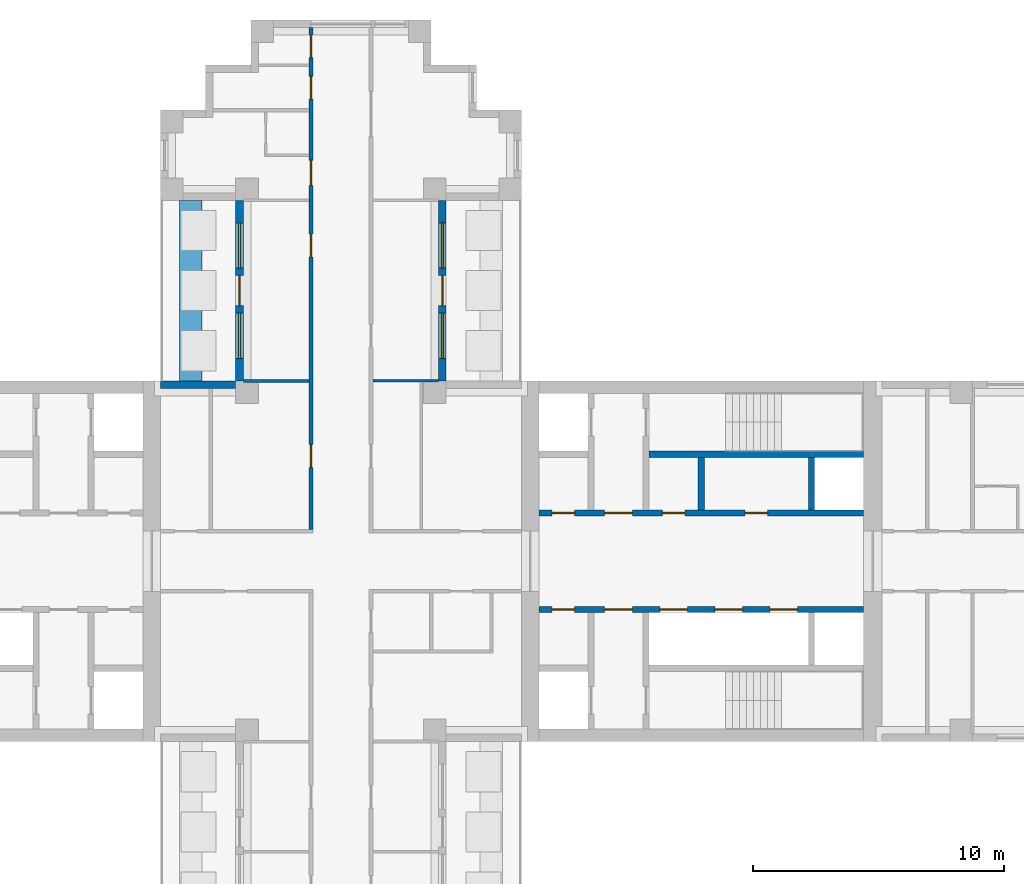
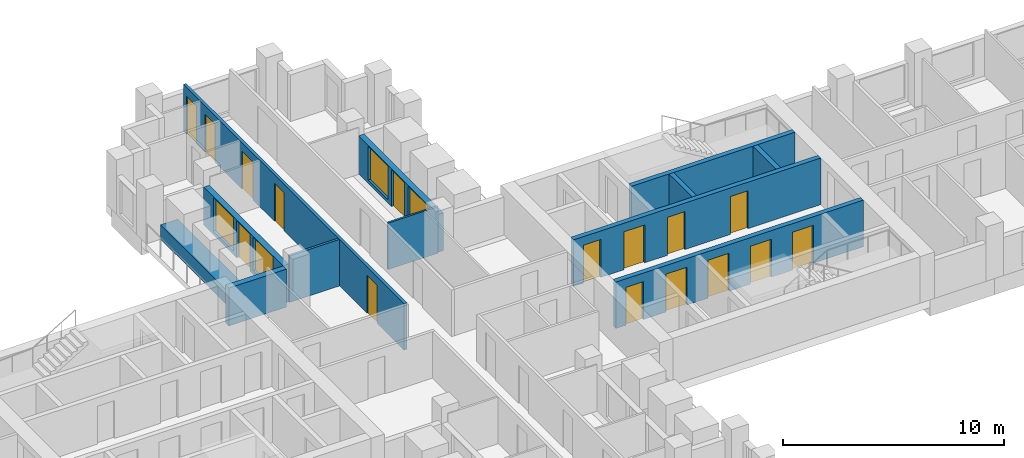
# One storey, part 8 of 13: 16 doors, 12 walls, 4 windows, 20 openings.
"""IFC4 building model written with IfcOpenShell, lengths in metres."""

import ifcopenshell
import ifcopenshell.guid

model = None  # the IFC model being written
_history = None  # IfcOwnerHistory: only IFC2X3 demands one
_inside = {}  # id of a spatial element -> (the spatial element, [elements in it])
_under = {}  # id of a project, library or spatial element -> (it, [spatial elements below it])
_declared = {}  # id of a project -> (the project, [libraries it declares])
_typed = {}  # id of a type object -> (the type object, [elements of that type])
_made_of = {}  # id of a material, layer set ... -> (it, [elements and type objects made of it])


def new_model(schema):
    """Start an empty IFC model of exactly this schema.

    Asked for "IFC4X3", IfcOpenShell would pick the latest addendum, in which some entities
    have other attributes; the version numbers below select the first issue.
    IFC2X3 requires an IfcOwnerHistory on every rooted entity: one is made here for all.
    """
    global model, _history
    if schema == "IFC4X3":
        model = ifcopenshell.file(schema_version=(4, 3, 0, 0))
    else:
        model = ifcopenshell.file(schema=schema)
    _inside.clear()
    _under.clear()
    _declared.clear()
    _typed.clear()
    _made_of.clear()
    _history = None
    if model.schema == "IFC2X3":
        org = make("IfcOrganization", Name="unknown")
        user = make(
            "IfcPersonAndOrganization",
            ThePerson=make("IfcPerson", FamilyName="unknown"),
            TheOrganization=org,
        )
        app = make(
            "IfcApplication",
            ApplicationDeveloper=org,
            Version="unknown",
            ApplicationFullName="unknown",
            ApplicationIdentifier="unknown",
        )
        _history = make(
            "IfcOwnerHistory",
            OwningUser=user,
            OwningApplication=app,
            ChangeAction="ADDED",
            CreationDate=0,
        )
    return model


def make(cls, **values):
    """One entity of the class cls with the attributes given. An attribute that is None is left unset."""
    return model.create_entity(
        cls, **{name: value for name, value in values.items() if value is not None}
    )


def rooted(cls, **values):
    """An entity with a GlobalId (a new one), such as an element, a storey or a relation."""
    return make(cls, GlobalId=ifcopenshell.guid.new(), OwnerHistory=_history, **values)


def si_unit(unit_type, name, prefix=None):
    """IfcSIUnit, for example si_unit("LENGTHUNIT", "METRE", prefix="MILLI")."""
    return make("IfcSIUnit", UnitType=unit_type, Prefix=prefix, Name=name)


def assignment(units):
    """IfcUnitAssignment: the units of a project."""
    return None if units is None else make("IfcUnitAssignment", Units=units)


def point(xyz):
    """IfcCartesianPoint."""
    return None if xyz is None else make("IfcCartesianPoint", Coordinates=xyz)


def direction(xyz):
    """IfcDirection."""
    return None if xyz is None else make("IfcDirection", DirectionRatios=xyz)


def frame(location, z_axis=None, x_axis=None):
    """IfcAxis2Placement3D, a coordinate frame: its origin and axes. An axis left out is left unset."""
    return make(
        "IfcAxis2Placement3D",
        Location=point(location),
        Axis=direction(z_axis),
        RefDirection=direction(x_axis),
    )


def frame_2d(location, x_axis=None):
    """IfcAxis2Placement2D, a coordinate frame in the plane: its origin and x axis."""
    return make(
        "IfcAxis2Placement2D", Location=point(location), RefDirection=direction(x_axis)
    )


def origin():
    """The frame at (0, 0, 0) with its axes left unset."""
    return frame((0.0, 0.0, 0.0))


def place(relative_to, where):
    """IfcLocalPlacement: puts the frame where relative to a parent placement (None: the world)."""
    return make(
        "IfcLocalPlacement", PlacementRelTo=relative_to, RelativePlacement=where
    )


def context(
    kind, dimensions, precision=None, world=None, true_north=None, identifier=None
):
    """IfcGeometricRepresentationContext, for example the 3D "Model" context."""
    return make(
        "IfcGeometricRepresentationContext",
        ContextIdentifier=identifier,
        ContextType=kind,
        CoordinateSpaceDimension=dimensions,
        Precision=precision,
        WorldCoordinateSystem=world,
        TrueNorth=true_north,
    )


def subcontext(parent, identifier, kind, view, scale=None):
    """IfcGeometricRepresentationSubContext, for example "Body" below "Model"."""
    return make(
        "IfcGeometricRepresentationSubContext",
        ContextIdentifier=identifier,
        ContextType=kind,
        ParentContext=parent,
        TargetScale=scale,
        TargetView=view,
    )


def project(units=None, contexts=None):
    """IfcProject with its units and contexts."""
    return rooted(
        "IfcProject",
        Name="project",
        RepresentationContexts=contexts,
        UnitsInContext=assignment(units),
    )


def spatial(cls, under=None, at=None, **own):
    """A site, building, storey or space (cls), placed at a placement, below another one or the project."""
    s = rooted(cls, ObjectPlacement=at, **own)
    if under is not None:
        _under.setdefault(under.id(), (under, []))[1].append(s)
    return s


def profile(cls, at=None, kind="AREA", **sizes):
    """A parametric profile (cls). Its sizes go by their IFC names, for example OverallWidth=200.0."""
    return make(cls, ProfileType=kind, Position=at, **sizes)


def rectangle(**sizes):
    """IfcRectangleProfileDef."""
    return profile("IfcRectangleProfileDef", **sizes)


def extrude(swept, where, along, depth):
    """IfcExtrudedAreaSolid: the profile swept, set in the frame where, extruded along a direction by depth."""
    return make(
        "IfcExtrudedAreaSolid",
        SweptArea=swept,
        Position=where,
        ExtrudedDirection=direction(along),
        Depth=depth,
    )


def shape(context_of_items, identifier, shape_type, items):
    """IfcShapeRepresentation: the items that make up one representation, for example the "Body"."""
    return make(
        "IfcShapeRepresentation",
        ContextOfItems=context_of_items,
        RepresentationIdentifier=identifier,
        RepresentationType=shape_type,
        Items=items,
    )


def material(Name=None, Category=None):
    """IfcMaterial."""
    return make("IfcMaterial", Name=Name, Category=Category)


def layer(
    of_material, thickness, ventilated=None, Name=None, Category=None, Priority=None
):
    """IfcMaterialLayer: one layer of a wall or slab, of a material (None: an air gap)."""
    return make(
        "IfcMaterialLayer",
        Material=of_material,
        LayerThickness=thickness,
        IsVentilated=ventilated,
        Name=Name,
        Category=Category,
        Priority=Priority,
    )


def layer_set(layers, Name=None):
    """IfcMaterialLayerSet."""
    return make("IfcMaterialLayerSet", MaterialLayers=layers, LayerSetName=Name)


def made_of(thing, what):
    """Note that an element or type object is made of a material, layer set ...; save() writes the relation."""
    if what is not None:
        _made_of.setdefault(what.id(), (what, []))[1].append(thing)
    return thing


def type_object(cls, material=None, **own):
    """A type object (cls), such as IfcWallType, which elements share."""
    return made_of(rooted(cls, **own), material)


def element(
    cls,
    number,
    at=None,
    inside=None,
    cuts=None,
    type_object=None,
    material=None,
    context=None,
    identifier="Body",
    shape_type=None,
    held_by="IfcProductDefinitionShape",
    body=None,
    shapes=None,
    **own,
):
    """One element of the class cls, such as IfcWall. Its Tag is "e" and its number.

    at: its placement. inside: the storey or other place that contains it. cuts: it is an
    opening in that element (IfcRelVoidsElement). A single representation is given by context,
    identifier, shape_type and body (its items); several are given by shapes. held_by: the class
    of the entity that holds the representations. save() writes the other relations.
    """
    e = rooted(cls, Tag="e%d" % number, ObjectPlacement=at, **own)
    if body is not None:
        shapes = [shape(context, identifier, shape_type, body)]
    if shapes is not None:
        e.Representation = make(held_by, Representations=shapes)
    if inside is not None:
        _inside.setdefault(inside.id(), (inside, []))[1].append(e)
    if cuts is not None:
        rooted(
            "IfcRelVoidsElement", RelatingBuildingElement=cuts, RelatedOpeningElement=e
        )
    if type_object is not None:
        _typed.setdefault(type_object.id(), (type_object, []))[1].append(e)
    return made_of(e, material)


def fill(opening, filler):
    """IfcRelFillsElement: the door or window that sits in an opening."""
    return rooted(
        "IfcRelFillsElement",
        RelatingOpeningElement=opening,
        RelatedBuildingElement=filler,
    )


def aggregate(whole, parts):
    """IfcRelAggregates: a whole, such as a stair, and the parts it consists of."""
    return rooted("IfcRelAggregates", RelatingObject=whole, RelatedObjects=parts)


def save(model, path):
    """Write the relations noted so far, then the file.

    IfcRelAggregates (storeys below a building ...), IfcRelContainedInSpatialStructure (elements
    in a storey), IfcRelDefinesByType, IfcRelAssociatesMaterial and IfcRelDeclares: one each for
    every whole, place, type object, material and project.
    """
    for whole, parts in _under.values():
        aggregate(whole, parts)
    for where, things in _inside.values():
        rooted(
            "IfcRelContainedInSpatialStructure",
            RelatedElements=things,
            RelatingStructure=where,
        )
    for kind, things in _typed.values():
        rooted("IfcRelDefinesByType", RelatedObjects=things, RelatingType=kind)
    for what, things in _made_of.values():
        rooted("IfcRelAssociatesMaterial", RelatedObjects=things, RelatingMaterial=what)
    for by, libraries in _declared.values():
        rooted("IfcRelDeclares", RelatingContext=by, RelatedDefinitions=libraries)
    model.write(path)


model = new_model("IFC4")

# Units and contexts
model_context = context("Model", 3, precision=1e-05, world=origin(), true_north=direction((0.0, 1.0)))
body_context = subcontext(model_context, "Body", "Model", "MODEL_VIEW")
ifc_project = project(units=[si_unit("LENGTHUNIT", "METRE"), si_unit("AREAUNIT", "SQUARE_METRE"), si_unit("VOLUMEUNIT", "CUBIC_METRE"), si_unit("PLANEANGLEUNIT", "RADIAN"), si_unit("MASSUNIT", "GRAM", prefix="KILO")], contexts=[model_context])

# Site, building, storey
site_placement = place(None, origin())
site = spatial("IfcSite", under=ifc_project, at=site_placement, CompositionType="ELEMENT")
building_placement = place(site_placement, origin())
building = spatial("IfcBuilding", under=site, at=building_placement, Name="Fustian Cross Tower", CompositionType="ELEMENT")
storey_placement = place(building_placement, frame((0.0, 0.0, 81.89990234375)))
storey = spatial("IfcBuildingStorey", under=building, at=storey_placement, Name="L25", CompositionType="ELEMENT", Elevation=81.89990234375)

# Wall, openings, doors
ifc_material_1 = material(Name="Plasterboard on steel stud", Category="steel")
ifc_layer_1 = layer(ifc_material_1, 0.14990234375)
ifc_layer_set_1 = layer_set([ifc_layer_1], Name="Plasterboard on steel stud")
wall_type_1 = type_object("IfcWallType", Name="COMPARTMENT WALL 150 EI 60", PredefinedType="PARTITIONING", material=ifc_layer_set_1)
wall_1_placement = place(storey_placement, frame((-1.199951171875, 1.27490234375, 0.0), z_axis=(0.0, 0.0, 1.0), x_axis=(0.0, 1.0, 0.0)))
wall_1 = element("IfcWall", 1, at=wall_1_placement, inside=storey, type_object=wall_type_1, Name="Partition 35", PredefinedType="PARTITIONING", context=body_context, shape_type="SweptSolid", body=[
    extrude(rectangle(XDim=20.025146484375, YDim=0.14990234375, at=frame_2d((10.0126953125, 0.0))), origin(), (0.0, 0.0, 1.0), 2.5751953125),
])
opening_1_placement = place(wall_1_placement, frame((2.47509765625, 0.0, 0.0)))
opening_1 = element("IfcOpeningElement", 2, at=opening_1_placement, cuts=wall_1, Name="Opening D12003", PredefinedType="OPENING", context=body_context, shape_type="SweptSolid", body=[
    extrude(rectangle(XDim=0.89990234375, YDim=2.10009765625, at=frame_2d((0.449951171875, 1.050048828125))), frame((0.0, 0.0849609375, 0.0), z_axis=(0.0, -1.0, 0.0), x_axis=(1.0, 0.0, 0.0)), (0.0, 0.0, 1.0), 0.169921875),
])
opening_2_placement = place(wall_1_placement, frame((10.875, 0.0, 0.0)))
opening_2 = element("IfcOpeningElement", 3, at=opening_2_placement, cuts=wall_1, Name="Opening D12021", PredefinedType="OPENING", context=body_context, shape_type="SweptSolid", body=[
    extrude(rectangle(XDim=0.89990234375, YDim=2.10009765625, at=frame_2d((0.449951171875, 1.050048828125))), frame((0.0, 0.0849609375, 0.0), z_axis=(0.0, -1.0, 0.0), x_axis=(1.0, 0.0, 0.0)), (0.0, 0.0, 1.0), 0.169921875),
])
opening_3_placement = place(wall_1_placement, frame((13.72509765625, 0.0, 0.0)))
opening_3 = element("IfcOpeningElement", 4, at=opening_3_placement, cuts=wall_1, Name="Opening D12023", PredefinedType="OPENING", context=body_context, shape_type="SweptSolid", body=[
    extrude(rectangle(XDim=1.0, YDim=2.10009765625, at=frame_2d((0.5, 1.050048828125))), frame((0.0, 0.0849609375, 0.0), z_axis=(0.0, -1.0, 0.0), x_axis=(1.0, 0.0, 0.0)), (0.0, 0.0, 1.0), 0.169921875),
])
opening_4_placement = place(wall_1_placement, frame((17.175048828125, 0.0, 0.0)))
opening_4 = element("IfcOpeningElement", 5, at=opening_4_placement, cuts=wall_1, Name="Opening D12024", PredefinedType="OPENING", context=body_context, shape_type="SweptSolid", body=[
    extrude(rectangle(XDim=0.89990234375, YDim=2.10009765625, at=frame_2d((0.449951171875, 1.050048828125))), frame((0.0, 0.0849609375, 0.0), z_axis=(0.0, -1.0, 0.0), x_axis=(1.0, 0.0, 0.0)), (0.0, 0.0, 1.0), 0.169921875),
])
opening_5_placement = place(wall_1_placement, frame((18.824951171875, 0.0, 0.0)))
opening_5 = element("IfcOpeningElement", 6, at=opening_5_placement, cuts=wall_1, Name="Opening D12025", PredefinedType="OPENING", context=body_context, shape_type="SweptSolid", body=[
    extrude(rectangle(XDim=0.89990234375, YDim=2.10009765625, at=frame_2d((0.449951171875, 1.050048828125))), frame((0.0, 0.0849609375, 0.0), z_axis=(0.0, -1.0, 0.0), x_axis=(1.0, 0.0, 0.0)), (0.0, 0.0, 1.0), 0.169921875),
])
ifc_material_2 = material(Name="Timber fire door set", Category="wood")
door_type_1 = type_object("IfcDoorType", Name="FIRE SWING DOOR 1000 FD30S", OperationType="SINGLE_SWING_LEFT", PredefinedType="DOOR", material=ifc_material_2)
door_1_placement = place(opening_3_placement, origin())
door_1 = element("IfcDoor", 7, at=door_1_placement, inside=storey, type_object=door_type_1, Name="Door D12023", OperationType="SINGLE_SWING_RIGHT", OverallHeight=2.10009765625, OverallWidth=1.0, PredefinedType="DOOR", context=body_context, shape_type="SweptSolid", body=[
    extrude(rectangle(XDim=1.0, YDim=2.10009765625, at=frame_2d((0.5, 1.050048828125))), frame((0.0, 0.02490234375, 0.0), z_axis=(0.0, -1.0, 0.0), x_axis=(1.0, 0.0, 0.0)), (0.0, 0.0, 1.0), 0.050048828125),
])
fill(opening_3, door_1)
ifc_material_3 = material(Name="Timber fire door set", Category="wood")
door_type_2 = type_object("IfcDoorType", Name="FIRE SWING DOOR 900 FD30S", OperationType="SINGLE_SWING_LEFT", PredefinedType="DOOR", material=ifc_material_3)
door_2_placement = place(opening_1_placement, origin())
door_2 = element("IfcDoor", 8, at=door_2_placement, inside=storey, type_object=door_type_2, Name="Door D12003", OperationType="SINGLE_SWING_LEFT", OverallHeight=2.10009765625, OverallWidth=0.89990234375, PredefinedType="DOOR", context=body_context, shape_type="SweptSolid", body=[
    extrude(rectangle(XDim=0.89990234375, YDim=2.10009765625, at=frame_2d((0.449951171875, 1.050048828125))), frame((0.0, 0.02490234375, 0.0), z_axis=(0.0, -1.0, 0.0), x_axis=(1.0, 0.0, 0.0)), (0.0, 0.0, 1.0), 0.050048828125),
])
fill(opening_1, door_2)
door_3_placement = place(opening_2_placement, origin())
door_3 = element("IfcDoor", 9, at=door_3_placement, inside=storey, type_object=door_type_2, Name="Door D12021", OperationType="SINGLE_SWING_RIGHT", OverallHeight=2.10009765625, OverallWidth=0.89990234375, PredefinedType="DOOR", context=body_context, shape_type="SweptSolid", body=[
    extrude(rectangle(XDim=0.89990234375, YDim=2.10009765625, at=frame_2d((0.449951171875, 1.050048828125))), frame((0.0, 0.02490234375, 0.0), z_axis=(0.0, -1.0, 0.0), x_axis=(1.0, 0.0, 0.0)), (0.0, 0.0, 1.0), 0.050048828125),
])
fill(opening_2, door_3)
door_4_placement = place(opening_4_placement, origin())
door_4 = element("IfcDoor", 10, at=door_4_placement, inside=storey, type_object=door_type_2, Name="Door D12024", OperationType="SINGLE_SWING_RIGHT", OverallHeight=2.10009765625, OverallWidth=0.89990234375, PredefinedType="DOOR", context=body_context, shape_type="SweptSolid", body=[
    extrude(rectangle(XDim=0.89990234375, YDim=2.10009765625, at=frame_2d((0.449951171875, 1.050048828125))), frame((0.0, 0.02490234375, 0.0), z_axis=(0.0, -1.0, 0.0), x_axis=(1.0, 0.0, 0.0)), (0.0, 0.0, 1.0), 0.050048828125),
])
fill(opening_4, door_4)
door_5_placement = place(opening_5_placement, origin())
door_5 = element("IfcDoor", 11, at=door_5_placement, inside=storey, type_object=door_type_2, Name="Door D12025", OperationType="SINGLE_SWING_LEFT", OverallHeight=2.10009765625, OverallWidth=0.89990234375, PredefinedType="DOOR", context=body_context, shape_type="SweptSolid", body=[
    extrude(rectangle(XDim=0.89990234375, YDim=2.10009765625, at=frame_2d((0.449951171875, 1.050048828125))), frame((0.0, 0.02490234375, 0.0), z_axis=(0.0, -1.0, 0.0), x_axis=(1.0, 0.0, 0.0)), (0.0, 0.0, 1.0), 0.050048828125),
])
fill(opening_5, door_5)

ifc_material_4 = material(Name="Concrete C50/60", Category="concrete")
ifc_layer_2 = layer(ifc_material_4, 0.25)
ifc_layer_set_2 = layer_set([ifc_layer_2], Name="Concrete C50/60")
wall_type_2 = type_object("IfcWallType", Name="CORE LOBBY WALL 250 C50/60", PredefinedType="SHEAR", material=ifc_layer_set_2)
wall_2_placement = place(storey_placement, frame((7.89990234375, 1.925048828125, 0.0), z_axis=(0.0, 0.0, 1.0), x_axis=(1.0, 0.0, 0.0)))
wall_2 = element("IfcWall", 12, at=wall_2_placement, inside=storey, type_object=wall_type_2, Name="Core lobby wall", PredefinedType="SHEAR", context=body_context, shape_type="SweptSolid", body=[
    extrude(rectangle(XDim=12.9501953125, YDim=0.25, at=frame_2d((6.47509765625, 0.0))), origin(), (0.0, 0.0, 1.0), 2.5751953125),
])
opening_6_placement = place(wall_2_placement, frame((0.52490234375, 0.0, 0.0)))
opening_6 = element("IfcOpeningElement", 13, at=opening_6_placement, cuts=wall_2, Name="Opening CD-10-08", PredefinedType="OPENING", context=body_context, shape_type="SweptSolid", body=[
    extrude(rectangle(XDim=0.89990234375, YDim=2.10009765625, at=frame_2d((0.449951171875, 1.050048828125))), frame((0.0, 0.135009765625, 0.0), z_axis=(0.0, -1.0, 0.0), x_axis=(1.0, 0.0, 0.0)), (0.0, 0.0, 1.0), 0.27001953125),
])
opening_7_placement = place(wall_2_placement, frame((2.625, 0.0, 0.0)))
opening_7 = element("IfcOpeningElement", 14, at=opening_7_placement, cuts=wall_2, Name="Opening CD-10-10", PredefinedType="OPENING", context=body_context, shape_type="SweptSolid", body=[
    extrude(rectangle(XDim=1.10009765625, YDim=2.10009765625, at=frame_2d((0.550048828125, 1.050048828125))), frame((0.0, 0.135009765625, 0.0), z_axis=(0.0, -1.0, 0.0), x_axis=(1.0, 0.0, 0.0)), (0.0, 0.0, 1.0), 0.27001953125),
])
opening_8_placement = place(wall_2_placement, frame((4.925048828125, 0.0, 0.0)))
opening_8 = element("IfcOpeningElement", 15, at=opening_8_placement, cuts=wall_2, Name="Opening CD-10-14", PredefinedType="OPENING", context=body_context, shape_type="SweptSolid", body=[
    extrude(rectangle(XDim=0.89990234375, YDim=2.10009765625, at=frame_2d((0.449951171875, 1.050048828125))), frame((0.0, 0.135009765625, 0.0), z_axis=(0.0, -1.0, 0.0), x_axis=(1.0, 0.0, 0.0)), (0.0, 0.0, 1.0), 0.27001953125),
])
opening_9_placement = place(wall_2_placement, frame((8.22509765625, 0.0, 0.0)))
opening_9 = element("IfcOpeningElement", 16, at=opening_9_placement, cuts=wall_2, Name="Opening CD-10-15", PredefinedType="OPENING", context=body_context, shape_type="SweptSolid", body=[
    extrude(rectangle(XDim=0.89990234375, YDim=2.10009765625, at=frame_2d((0.449951171875, 1.050048828125))), frame((0.0, 0.135009765625, 0.0), z_axis=(0.0, -1.0, 0.0), x_axis=(1.0, 0.0, 0.0)), (0.0, 0.0, 1.0), 0.27001953125),
])
ifc_material_5 = material(Name="Steel", Category="steel")
door_type_3 = type_object("IfcDoorType", Name="FIRE DOOR FD30S 900X2100", OperationType="SINGLE_SWING_LEFT", PredefinedType="DOOR", material=ifc_material_5)
door_6_placement = place(opening_8_placement, origin())
door_6 = element("IfcDoor", 17, at=door_6_placement, inside=storey, type_object=door_type_3, Name="Core door CD-10-14", OperationType="SINGLE_SWING_LEFT", OverallHeight=2.10009765625, OverallWidth=0.89990234375, PredefinedType="DOOR", context=body_context, shape_type="SweptSolid", body=[
    extrude(rectangle(XDim=0.89990234375, YDim=2.10009765625, at=frame_2d((0.449951171875, 1.050048828125))), frame((0.0, 0.02490234375, 0.0), z_axis=(0.0, -1.0, 0.0), x_axis=(1.0, 0.0, 0.0)), (0.0, 0.0, 1.0), 0.050048828125),
])
fill(opening_8, door_6)
door_7_placement = place(opening_9_placement, origin())
door_7 = element("IfcDoor", 18, at=door_7_placement, inside=storey, type_object=door_type_3, Name="Core door CD-10-15", OperationType="SINGLE_SWING_RIGHT", OverallHeight=2.10009765625, OverallWidth=0.89990234375, PredefinedType="DOOR", context=body_context, shape_type="SweptSolid", body=[
    extrude(rectangle(XDim=0.89990234375, YDim=2.10009765625, at=frame_2d((0.449951171875, 1.050048828125))), frame((0.0, 0.02490234375, 0.0), z_axis=(0.0, -1.0, 0.0), x_axis=(1.0, 0.0, 0.0)), (0.0, 0.0, 1.0), 0.050048828125),
])
fill(opening_9, door_7)
ifc_material_6 = material(Name="Steel", Category="steel")
door_type_4 = type_object("IfcDoorType", Name="FIRE DOOR FD60S 1100X2100", OperationType="SINGLE_SWING_LEFT", PredefinedType="DOOR", material=ifc_material_6)
door_8_placement = place(opening_7_placement, frame((1.10009765625, 0.0, 0.0), z_axis=(0.0, 0.0, 1.0), x_axis=(-1.0, 0.0, 0.0)))
door_8 = element("IfcDoor", 19, at=door_8_placement, inside=storey, type_object=door_type_4, Name="Core door CD-10-10", OperationType="SINGLE_SWING_RIGHT", OverallHeight=2.10009765625, OverallWidth=1.10009765625, PredefinedType="DOOR", context=body_context, shape_type="SweptSolid", body=[
    extrude(rectangle(XDim=1.10009765625, YDim=2.10009765625, at=frame_2d((0.550048828125, 1.050048828125))), frame((0.0, 0.02490234375, 0.0), z_axis=(0.0, -1.0, 0.0), x_axis=(1.0, 0.0, 0.0)), (0.0, 0.0, 1.0), 0.050048828125),
])
fill(opening_7, door_8)
ifc_material_7 = material(Name="Steel", Category="steel")
door_type_5 = type_object("IfcDoorType", Name="FIRE DOOR FD60S 900X2100", OperationType="SINGLE_SWING_LEFT", PredefinedType="DOOR", material=ifc_material_7)
door_9_placement = place(opening_6_placement, origin())
door_9 = element("IfcDoor", 20, at=door_9_placement, inside=storey, type_object=door_type_5, Name="Core door CD-10-08", OperationType="SINGLE_SWING_LEFT", OverallHeight=2.10009765625, OverallWidth=0.89990234375, PredefinedType="DOOR", context=body_context, shape_type="SweptSolid", body=[
    extrude(rectangle(XDim=0.89990234375, YDim=2.10009765625, at=frame_2d((0.449951171875, 1.050048828125))), frame((0.0, 0.02490234375, 0.0), z_axis=(0.0, -1.0, 0.0), x_axis=(1.0, 0.0, 0.0)), (0.0, 0.0, 1.0), 0.050048828125),
])
fill(opening_6, door_9)

wall_3_placement = place(storey_placement, frame((7.89990234375, -1.925048828125, 0.0), z_axis=(0.0, 0.0, 1.0), x_axis=(1.0, 0.0, 0.0)))
wall_3 = element("IfcWall", 21, at=wall_3_placement, inside=storey, type_object=wall_type_2, Name="Core lobby wall", PredefinedType="SHEAR", context=body_context, shape_type="SweptSolid", body=[
    extrude(rectangle(XDim=12.9501953125, YDim=0.25, at=frame_2d((6.47509765625, 0.0))), origin(), (0.0, 0.0, 1.0), 2.5751953125),
])
opening_10_placement = place(wall_3_placement, frame((4.824951171875, 0.0, 0.0)))
opening_10 = element("IfcOpeningElement", 22, at=opening_10_placement, cuts=wall_3, Name="Opening LD", PredefinedType="OPENING", context=body_context, shape_type="SweptSolid", body=[
    extrude(rectangle(XDim=1.10009765625, YDim=2.10009765625, at=frame_2d((0.550048828125, 1.050048828125))), frame((0.0, 0.135009765625, 0.0), z_axis=(0.0, -1.0, 0.0), x_axis=(1.0, 0.0, 0.0)), (0.0, 0.0, 1.0), 0.27001953125),
])
opening_11_placement = place(wall_3_placement, frame((7.02490234375, 0.0, 0.0)))
opening_11 = element("IfcOpeningElement", 23, at=opening_11_placement, cuts=wall_3, Name="Opening LD", PredefinedType="OPENING", context=body_context, shape_type="SweptSolid", body=[
    extrude(rectangle(XDim=1.10009765625, YDim=2.10009765625, at=frame_2d((0.550048828125, 1.050048828125))), frame((0.0, 0.135009765625, 0.0), z_axis=(0.0, -1.0, 0.0), x_axis=(1.0, 0.0, 0.0)), (0.0, 0.0, 1.0), 0.27001953125),
])
opening_12_placement = place(wall_3_placement, frame((9.22509765625, 0.0, 0.0)))
opening_12 = element("IfcOpeningElement", 24, at=opening_12_placement, cuts=wall_3, Name="Opening LD", PredefinedType="OPENING", context=body_context, shape_type="SweptSolid", body=[
    extrude(rectangle(XDim=1.10009765625, YDim=2.10009765625, at=frame_2d((0.550048828125, 1.050048828125))), frame((0.0, 0.135009765625, 0.0), z_axis=(0.0, -1.0, 0.0), x_axis=(1.0, 0.0, 0.0)), (0.0, 0.0, 1.0), 0.27001953125),
])
opening_13_placement = place(wall_3_placement, frame((0.52490234375, 0.0, 0.0)))
opening_13 = element("IfcOpeningElement", 25, at=opening_13_placement, cuts=wall_3, Name="Opening CD-10-09", PredefinedType="OPENING", context=body_context, shape_type="SweptSolid", body=[
    extrude(rectangle(XDim=0.89990234375, YDim=2.10009765625, at=frame_2d((0.449951171875, 1.050048828125))), frame((0.0, 0.135009765625, 0.0), z_axis=(0.0, -1.0, 0.0), x_axis=(1.0, 0.0, 0.0)), (0.0, 0.0, 1.0), 0.27001953125),
])
opening_14_placement = place(wall_3_placement, frame((2.625, 0.0, 0.0)))
opening_14 = element("IfcOpeningElement", 26, at=opening_14_placement, cuts=wall_3, Name="Opening CD-10-11", PredefinedType="OPENING", context=body_context, shape_type="SweptSolid", body=[
    extrude(rectangle(XDim=1.10009765625, YDim=2.10009765625, at=frame_2d((0.550048828125, 1.050048828125))), frame((0.0, 0.135009765625, 0.0), z_axis=(0.0, -1.0, 0.0), x_axis=(1.0, 0.0, 0.0)), (0.0, 0.0, 1.0), 0.27001953125),
])
ifc_material_8 = material(Name="Steel", Category="steel")
door_type_6 = type_object("IfcDoorType", Name="FIRE DOOR FD30S 1100X2100", OperationType="SINGLE_SWING_LEFT", PredefinedType="DOOR", material=ifc_material_8)
door_10_placement = place(opening_14_placement, frame((1.10009765625, 0.0, 0.0), z_axis=(0.0, 0.0, 1.0), x_axis=(-1.0, 0.0, 0.0)))
door_10 = element("IfcDoor", 27, at=door_10_placement, inside=storey, type_object=door_type_6, Name="Core door CD-10-11", OperationType="SINGLE_SWING_RIGHT", OverallHeight=2.10009765625, OverallWidth=1.10009765625, PredefinedType="DOOR", context=body_context, shape_type="SweptSolid", body=[
    extrude(rectangle(XDim=1.10009765625, YDim=2.10009765625, at=frame_2d((0.550048828125, 1.050048828125))), frame((0.0, 0.02490234375, 0.0), z_axis=(0.0, -1.0, 0.0), x_axis=(1.0, 0.0, 0.0)), (0.0, 0.0, 1.0), 0.050048828125),
])
fill(opening_14, door_10)
door_11_placement = place(opening_13_placement, frame((0.89990234375, 0.0, 0.0), z_axis=(0.0, 0.0, 1.0), x_axis=(-1.0, 0.0, 0.0)))
door_11 = element("IfcDoor", 28, at=door_11_placement, inside=storey, type_object=door_type_3, Name="Core door CD-10-09", OperationType="SINGLE_SWING_RIGHT", OverallHeight=2.10009765625, OverallWidth=0.89990234375, PredefinedType="DOOR", context=body_context, shape_type="SweptSolid", body=[
    extrude(rectangle(XDim=0.89990234375, YDim=2.10009765625, at=frame_2d((0.449951171875, 1.050048828125))), frame((0.0, 0.02490234375, 0.0), z_axis=(0.0, -1.0, 0.0), x_axis=(1.0, 0.0, 0.0)), (0.0, 0.0, 1.0), 0.050048828125),
])
fill(opening_13, door_11)
ifc_material_9 = material(Name="Stainless steel", Category="steel")
door_type_7 = type_object("IfcDoorType", Name="LIFT LANDING DOOR 1100X2100", OperationType="SLIDING_TO_LEFT", PredefinedType="DOOR", material=ifc_material_9)
door_12_placement = place(opening_10_placement, origin())
door_12 = element("IfcDoor", 29, at=door_12_placement, inside=storey, type_object=door_type_7, Name="Landing door LR1", OperationType="SLIDING_TO_LEFT", OverallHeight=2.10009765625, OverallWidth=1.10009765625, PredefinedType="DOOR", context=body_context, shape_type="SweptSolid", body=[
    extrude(rectangle(XDim=1.10009765625, YDim=2.10009765625, at=frame_2d((0.550048828125, 1.050048828125))), frame((0.0, 0.02490234375, 0.0), z_axis=(0.0, -1.0, 0.0), x_axis=(1.0, 0.0, 0.0)), (0.0, 0.0, 1.0), 0.050048828125),
])
fill(opening_10, door_12)
door_13_placement = place(opening_11_placement, origin())
door_13 = element("IfcDoor", 30, at=door_13_placement, inside=storey, type_object=door_type_7, Name="Landing door LR2", OperationType="SLIDING_TO_LEFT", OverallHeight=2.10009765625, OverallWidth=1.10009765625, PredefinedType="DOOR", context=body_context, shape_type="SweptSolid", body=[
    extrude(rectangle(XDim=1.10009765625, YDim=2.10009765625, at=frame_2d((0.550048828125, 1.050048828125))), frame((0.0, 0.02490234375, 0.0), z_axis=(0.0, -1.0, 0.0), x_axis=(1.0, 0.0, 0.0)), (0.0, 0.0, 1.0), 0.050048828125),
])
fill(opening_11, door_13)
door_14_placement = place(opening_12_placement, origin())
door_14 = element("IfcDoor", 31, at=door_14_placement, inside=storey, type_object=door_type_7, Name="Landing door LR3", OperationType="SLIDING_TO_LEFT", OverallHeight=2.10009765625, OverallWidth=1.10009765625, PredefinedType="DOOR", context=body_context, shape_type="SweptSolid", body=[
    extrude(rectangle(XDim=1.10009765625, YDim=2.10009765625, at=frame_2d((0.550048828125, 1.050048828125))), frame((0.0, 0.02490234375, 0.0), z_axis=(0.0, -1.0, 0.0), x_axis=(1.0, 0.0, 0.0)), (0.0, 0.0, 1.0), 0.050048828125),
])
fill(opening_12, door_14)

# Walls
ifc_material_10 = material(Name="Concrete C50/60", Category="concrete")
ifc_layer_3 = layer(ifc_material_10, 0.25)
ifc_layer_set_3 = layer_set([ifc_layer_3], Name="Concrete C50/60")
wall_type_3 = type_object("IfcWallType", Name="CORE SHAFT WALL 250 C50/60", PredefinedType="SHEAR", material=ifc_layer_set_3)
wall_4_placement = place(storey_placement, frame((12.300048828125, 4.27490234375, 0.0), z_axis=(0.0, 0.0, 1.0), x_axis=(1.0, 0.0, 0.0)))
element("IfcWall", 32, at=wall_4_placement, inside=storey, type_object=wall_type_3, Name="Core shaft wall", PredefinedType="SHEAR", context=body_context, shape_type="SweptSolid", body=[
    extrude(rectangle(XDim=8.550048828125, YDim=0.25, at=frame_2d((4.27490234375, 0.0))), origin(), (0.0, 0.0, 1.0), 2.5751953125),
])
ifc_material_11 = material(Name="Plasterboard on steel stud", Category="steel")
ifc_layer_4 = layer(ifc_material_11, 0.10009765625)
ifc_layer_set_4 = layer_set([ifc_layer_4], Name="Plasterboard on steel stud")
wall_type_4 = type_object("IfcWallType", Name="PARTITION 100 STUD", PredefinedType="PARTITIONING", material=ifc_layer_set_4)
wall_5_placement = place(storey_placement, frame((1.27490234375, 7.199951171875, 0.0), z_axis=(0.0, 0.0, 1.0), x_axis=(1.0, 0.0, 0.0)))
element("IfcWall", 33, at=wall_5_placement, inside=storey, type_object=wall_type_4, Name="Partition 48", PredefinedType="PARTITIONING", context=body_context, shape_type="SweptSolid", body=[
    extrude(rectangle(XDim=2.625, YDim=0.10009765625, at=frame_2d((1.3125, 0.0))), origin(), (0.0, 0.0, 1.0), 2.5751953125),
])
ifc_material_12 = material(Name="Concrete C40/50", Category="concrete")
ifc_layer_5 = layer(ifc_material_12, 0.89990234375)
ifc_layer_set_5 = layer_set([ifc_layer_5], Name="Concrete C40/50")
wall_type_5 = type_object("IfcWallType", Name="PK1 PLANTER 900", PredefinedType="PARAPET", material=ifc_layer_set_5)
wall_6_placement = place(storey_placement, frame((-6.0, 7.199951171875, 0.0), z_axis=(0.0, 0.0, 1.0), x_axis=(0.0, 1.0, 0.0)))
element("IfcWall", 34, at=wall_6_placement, inside=storey, type_object=wall_type_5, Name="PLANTER", PredefinedType="PARAPET", context=body_context, shape_type="SweptSolid", body=[
    extrude(rectangle(XDim=7.199951171875, YDim=0.89990234375, at=frame_2d((3.60009765625, 0.0))), origin(), (0.0, 0.0, 1.0), 0.800048828125),
])
ifc_material_13 = material(Name="Concrete C40/50", Category="concrete")
ifc_layer_6 = layer(ifc_material_13, 0.25)
ifc_layer_set_6 = layer_set([ifc_layer_6], Name="Concrete C40/50")
wall_type_6 = type_object("IfcWallType", Name="SHAFT PARTITION WALL 250 C40/50", PredefinedType="PARTITIONING", material=ifc_layer_set_6)
for number, where, z_axis, x_axis, name in (
    (35, (14.375, 2.050048828125, 0.0), (0.0, 0.0, 1.0), (0.0, 1.0, 0.0), "Core shaft wall"),
    (36, (18.77490234375, 2.050048828125, 0.0), (0.0, 0.0, 1.0), (0.0, 1.0, 0.0), "Core shaft wall"),
):
    element("IfcWall", number, at=place(storey_placement, frame(where, z_axis=z_axis, x_axis=x_axis)), inside=storey, type_object=wall_type_6, Name=name, PredefinedType="PARTITIONING", context=body_context, shape_type="SweptSolid", body=[
        extrude(rectangle(XDim=2.099853515625, YDim=0.25, at=frame_2d((1.0498046875, 0.0))), origin(), (0.0, 0.0, 1.0), 2.5751953125),
    ])
ifc_material_14 = material(Name="Plasterboard on steel stud", Category="steel")
ifc_layer_7 = layer(ifc_material_14, 0.125)
ifc_layer_set_7 = layer_set([ifc_layer_7], Name="Plasterboard on steel stud")
wall_type_7 = type_object("IfcWallType", Name="WET WALL 125 STUD", PredefinedType="PARTITIONING", material=ifc_layer_set_7)
wall_7_placement = place(storey_placement, frame((-3.89990234375, 7.199951171875, 0.0), z_axis=(0.0, 0.0, 1.0), x_axis=(1.0, 0.0, 0.0)))
element("IfcWall", 37, at=wall_7_placement, inside=storey, type_object=wall_type_7, Name="Partition 28", PredefinedType="PARTITIONING", context=body_context, shape_type="SweptSolid", body=[
    extrude(rectangle(XDim=2.625, YDim=0.125, at=frame_2d((1.3125, 0.0))), origin(), (0.0, 0.0, 1.0), 2.5751953125),
])

# Wall, openings, door, windows
ifc_material_15 = material(Name="Dark aluminium cladding on insulated backing wall", Category="aluminium")
ifc_layer_8 = layer(ifc_material_15, 0.300048828125)
ifc_layer_set_8 = layer_set([ifc_layer_8], Name="Dark aluminium cladding on insulated backing wall")
wall_type_8 = type_object("IfcWallType", Name="XW1 EXTERNAL WALL 300", PredefinedType="SOLIDWALL", material=ifc_layer_set_8)
wall_8_placement = place(storey_placement, frame((4.050048828125, 7.199951171875, 0.0), z_axis=(0.0, 0.0, 1.0), x_axis=(0.0, 1.0, 0.0)))
wall_8 = element("IfcWall", 38, at=wall_8_placement, inside=storey, type_object=wall_type_8, Name="External wall", PredefinedType="SOLIDWALL", context=body_context, shape_type="SweptSolid", body=[
    extrude(rectangle(XDim=7.199951171875, YDim=0.300048828125, at=frame_2d((3.60009765625, 0.0))), origin(), (0.0, 0.0, 1.0), 2.10009765625),
])
opening_15_placement = place(wall_8_placement, frame((3.0, 0.0, 0.0)))
opening_15 = element("IfcOpeningElement", 39, at=opening_15_placement, cuts=wall_8, Name="Opening XD1", PredefinedType="OPENING", context=body_context, shape_type="SweptSolid", body=[
    extrude(rectangle(XDim=1.199951171875, YDim=2.050048828125, at=frame_2d((0.60009765625, 1.02490234375))), frame((0.0, 0.159912109375, 0.0), z_axis=(0.0, -1.0, 0.0), x_axis=(1.0, 0.0, 0.0)), (0.0, 0.0, 1.0), 0.320068359375),
])
opening_16_placement = place(wall_8_placement, frame((0.89990234375, 0.0, 0.199951171875)))
opening_16 = element("IfcOpeningElement", 40, at=opening_16_placement, cuts=wall_8, Name="Opening WN2", PredefinedType="OPENING", context=body_context, shape_type="SweptSolid", body=[
    extrude(rectangle(XDim=1.800048828125, YDim=1.85009765625, at=frame_2d((0.89990234375, 0.925048828125))), frame((0.0, 0.159912109375, 0.0), z_axis=(0.0, -1.0, 0.0), x_axis=(1.0, 0.0, 0.0)), (0.0, 0.0, 1.0), 0.320068359375),
])
opening_17_placement = place(wall_8_placement, frame((4.5, 0.0, 0.199951171875)))
opening_17 = element("IfcOpeningElement", 41, at=opening_17_placement, cuts=wall_8, Name="Opening WN2", PredefinedType="OPENING", context=body_context, shape_type="SweptSolid", body=[
    extrude(rectangle(XDim=1.800048828125, YDim=1.85009765625, at=frame_2d((0.89990234375, 0.925048828125))), frame((0.0, 0.159912109375, 0.0), z_axis=(0.0, -1.0, 0.0), x_axis=(1.0, 0.0, 0.0)), (0.0, 0.0, 1.0), 0.320068359375),
])
ifc_material_16 = material(Name="Dark anodised aluminium and double glazing", Category="aluminium")
door_type_8 = type_object("IfcDoorType", Name="ED1 BALCONY DOOR 1200X2050", OperationType="SINGLE_SWING_LEFT", PredefinedType="DOOR", material=ifc_material_16)
door_15_placement = place(opening_15_placement, origin())
door_15 = element("IfcDoor", 42, at=door_15_placement, inside=storey, type_object=door_type_8, Name="Balcony door", OperationType="SINGLE_SWING_LEFT", OverallHeight=2.050048828125, OverallWidth=1.199951171875, PredefinedType="DOOR", context=body_context, shape_type="SweptSolid", body=[
    extrude(rectangle(XDim=1.199951171875, YDim=2.050048828125, at=frame_2d((0.60009765625, 1.02490234375))), frame((0.0, 0.02490234375, 0.0), z_axis=(0.0, -1.0, 0.0), x_axis=(1.0, 0.0, 0.0)), (0.0, 0.0, 1.0), 0.050048828125),
])
fill(opening_15, door_15)
ifc_material_17 = material(Name="Dark anodised aluminium and double glazing", Category="aluminium")
window_type = type_object("IfcWindowType", Name="WN2 WINDOW 1800X1850", PartitioningType="SINGLE_PANEL", PredefinedType="WINDOW", material=ifc_material_17)
window_1_placement = place(opening_16_placement, origin())
window_1 = element("IfcWindow", 43, at=window_1_placement, inside=storey, type_object=window_type, Name="Window", OverallHeight=1.85009765625, OverallWidth=1.800048828125, PartitioningType="SINGLE_PANEL", PredefinedType="WINDOW", context=body_context, shape_type="SweptSolid", body=[
    extrude(rectangle(XDim=1.800048828125, YDim=1.85009765625, at=frame_2d((0.89990234375, 0.925048828125))), frame((0.0, 0.030029296875, 0.0), z_axis=(0.0, -1.0, 0.0), x_axis=(1.0, 0.0, 0.0)), (0.0, 0.0, 1.0), 0.06005859375),
])
fill(opening_16, window_1)
window_2_placement = place(opening_17_placement, origin())
window_2 = element("IfcWindow", 44, at=window_2_placement, inside=storey, type_object=window_type, Name="Window", OverallHeight=1.85009765625, OverallWidth=1.800048828125, PartitioningType="SINGLE_PANEL", PredefinedType="WINDOW", context=body_context, shape_type="SweptSolid", body=[
    extrude(rectangle(XDim=1.800048828125, YDim=1.85009765625, at=frame_2d((0.89990234375, 0.925048828125))), frame((0.0, 0.030029296875, 0.0), z_axis=(0.0, -1.0, 0.0), x_axis=(1.0, 0.0, 0.0)), (0.0, 0.0, 1.0), 0.06005859375),
])
fill(opening_17, window_2)

wall_9_placement = place(storey_placement, frame((-4.050048828125, 14.39990234375, 0.0), z_axis=(0.0, 0.0, 1.0), x_axis=(0.0, -1.0, 0.0)))
wall_9 = element("IfcWall", 45, at=wall_9_placement, inside=storey, type_object=wall_type_8, Name="External wall", PredefinedType="SOLIDWALL", context=body_context, shape_type="SweptSolid", body=[
    extrude(rectangle(XDim=7.199951171875, YDim=0.300048828125, at=frame_2d((3.60009765625, 0.0))), origin(), (0.0, 0.0, 1.0), 2.10009765625),
])
opening_18_placement = place(wall_9_placement, frame((3.0, 0.0, 0.0)))
opening_18 = element("IfcOpeningElement", 46, at=opening_18_placement, cuts=wall_9, Name="Opening XD2", PredefinedType="OPENING", context=body_context, shape_type="SweptSolid", body=[
    extrude(rectangle(XDim=1.199951171875, YDim=2.050048828125, at=frame_2d((0.60009765625, 1.02490234375))), frame((0.0, 0.159912109375, 0.0), z_axis=(0.0, -1.0, 0.0), x_axis=(1.0, 0.0, 0.0)), (0.0, 0.0, 1.0), 0.320068359375),
])
opening_19_placement = place(wall_9_placement, frame((0.89990234375, 0.0, 0.199951171875)))
opening_19 = element("IfcOpeningElement", 47, at=opening_19_placement, cuts=wall_9, Name="Opening WN2", PredefinedType="OPENING", context=body_context, shape_type="SweptSolid", body=[
    extrude(rectangle(XDim=1.800048828125, YDim=1.85009765625, at=frame_2d((0.89990234375, 0.925048828125))), frame((0.0, 0.159912109375, 0.0), z_axis=(0.0, -1.0, 0.0), x_axis=(1.0, 0.0, 0.0)), (0.0, 0.0, 1.0), 0.320068359375),
])
opening_20_placement = place(wall_9_placement, frame((4.5, 0.0, 0.199951171875)))
opening_20 = element("IfcOpeningElement", 48, at=opening_20_placement, cuts=wall_9, Name="Opening WN2", PredefinedType="OPENING", context=body_context, shape_type="SweptSolid", body=[
    extrude(rectangle(XDim=1.800048828125, YDim=1.85009765625, at=frame_2d((0.89990234375, 0.925048828125))), frame((0.0, 0.159912109375, 0.0), z_axis=(0.0, -1.0, 0.0), x_axis=(1.0, 0.0, 0.0)), (0.0, 0.0, 1.0), 0.320068359375),
])
door_16_placement = place(opening_18_placement, origin())
door_16 = element("IfcDoor", 49, at=door_16_placement, inside=storey, type_object=door_type_8, Name="Balcony door", OperationType="SINGLE_SWING_LEFT", OverallHeight=2.050048828125, OverallWidth=1.199951171875, PredefinedType="DOOR", context=body_context, shape_type="SweptSolid", body=[
    extrude(rectangle(XDim=1.199951171875, YDim=2.050048828125, at=frame_2d((0.60009765625, 1.02490234375))), frame((0.0, 0.02490234375, 0.0), z_axis=(0.0, -1.0, 0.0), x_axis=(1.0, 0.0, 0.0)), (0.0, 0.0, 1.0), 0.050048828125),
])
fill(opening_18, door_16)
window_3_placement = place(opening_19_placement, origin())
window_3 = element("IfcWindow", 50, at=window_3_placement, inside=storey, type_object=window_type, Name="Window", OverallHeight=1.85009765625, OverallWidth=1.800048828125, PartitioningType="SINGLE_PANEL", PredefinedType="WINDOW", context=body_context, shape_type="SweptSolid", body=[
    extrude(rectangle(XDim=1.800048828125, YDim=1.85009765625, at=frame_2d((0.89990234375, 0.925048828125))), frame((0.0, 0.030029296875, 0.0), z_axis=(0.0, -1.0, 0.0), x_axis=(1.0, 0.0, 0.0)), (0.0, 0.0, 1.0), 0.06005859375),
])
fill(opening_19, window_3)
window_4_placement = place(opening_20_placement, origin())
window_4 = element("IfcWindow", 51, at=window_4_placement, inside=storey, type_object=window_type, Name="Window", OverallHeight=1.85009765625, OverallWidth=1.800048828125, PartitioningType="SINGLE_PANEL", PredefinedType="WINDOW", context=body_context, shape_type="SweptSolid", body=[
    extrude(rectangle(XDim=1.800048828125, YDim=1.85009765625, at=frame_2d((0.89990234375, 0.925048828125))), frame((0.0, 0.030029296875, 0.0), z_axis=(0.0, -1.0, 0.0), x_axis=(1.0, 0.0, 0.0)), (0.0, 0.0, 1.0), 0.06005859375),
])
fill(opening_20, window_4)

# Wall
wall_10_placement = place(storey_placement, frame((-4.199951171875, 7.050048828125, 0.0), z_axis=(0.0, 0.0, 1.0), x_axis=(-1.0, 0.0, 0.0)))
element("IfcWall", 52, at=wall_10_placement, inside=storey, type_object=wall_type_8, Name="External wall", PredefinedType="SOLIDWALL", context=body_context, shape_type="SweptSolid", body=[
    extrude(rectangle(XDim=3.0, YDim=0.300048828125, at=frame_2d((1.5, 0.0))), origin(), (0.0, 0.0, 1.0), 2.10009765625),
])

save(model, "model.ifc")
